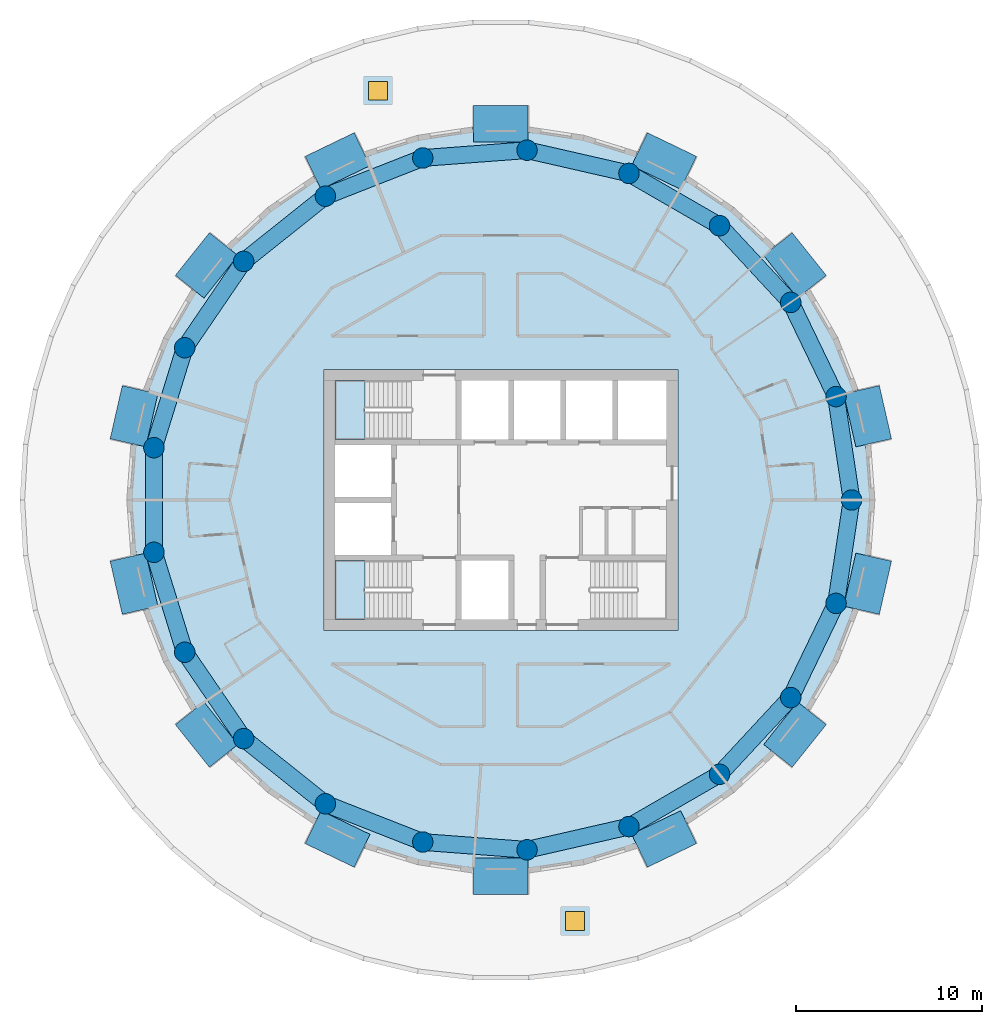
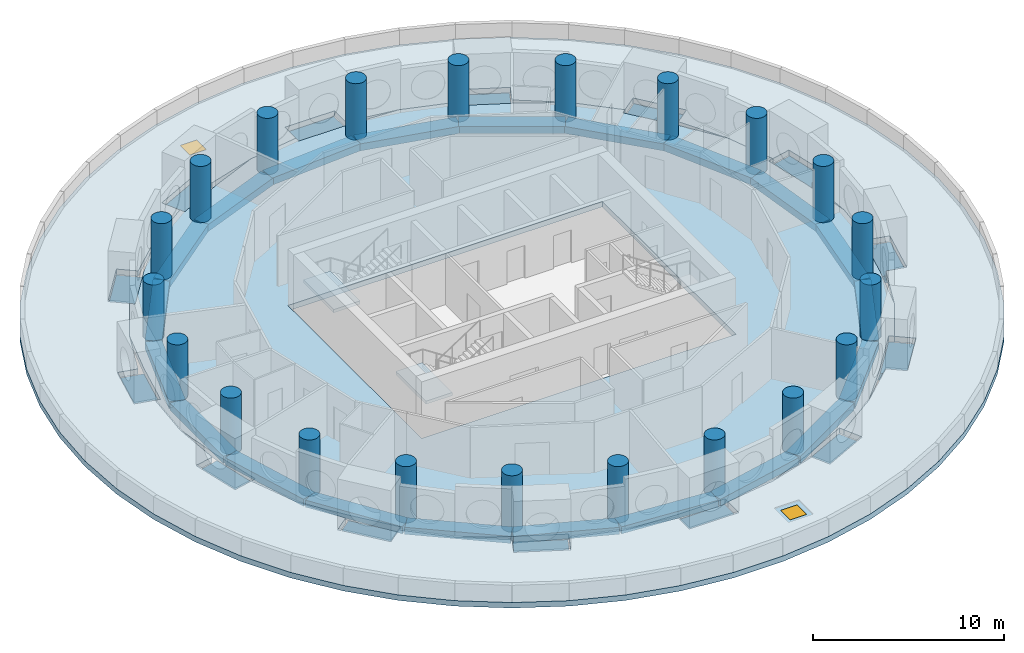
# One storey, part 1 of 13: 35 beams, 21 columns, 4 slabs, 2 windows, 2 openings, 2 elements without a shape of their own.
"""IFC4 building model written with IfcOpenShell, lengths in metres."""

from ifc_helpers import new_model, si_unit, direction, frame, origin, origin_2d, place, context, subcontext, project, spatial, polyline, rectangle, circle, outline, extrude, material, layer, layer_set, material_profile, profile_set, type_object, element, fill, aggregate, save


model = new_model("IFC4")

# Units and contexts
model_context = context("Model", 3, precision=1e-05, world=origin(), true_north=direction((0.0, 1.0)))
body_context = subcontext(model_context, "Body", "Model", "MODEL_VIEW")
ifc_project = project(units=[si_unit("LENGTHUNIT", "METRE"), si_unit("AREAUNIT", "SQUARE_METRE"), si_unit("VOLUMEUNIT", "CUBIC_METRE"), si_unit("PLANEANGLEUNIT", "RADIAN"), si_unit("MASSUNIT", "GRAM", prefix="KILO")], contexts=[model_context])

# Site, building, storey
site_placement = place(None, origin())
site = spatial("IfcSite", under=ifc_project, at=site_placement, CompositionType="ELEMENT")
building_placement = place(site_placement, origin())
building = spatial("IfcBuilding", under=site, at=building_placement, Name="Tracery Tower", CompositionType="ELEMENT")
storey_placement = place(building_placement, frame((0.0, 0.0, 231.0)))
storey = spatial("IfcBuildingStorey", under=building, at=storey_placement, Name="L59", CompositionType="ELEMENT", Elevation=231.0)

# Columns
ifc_material_1 = material(Name="Concrete C40/50", Category="concrete")
ifc_material_profile_1 = material_profile(ifc_material_1, circle(Radius=0.550048828125, at=origin_2d()), Name="RC D1100")
ifc_profile_set_1 = profile_set([ifc_material_profile_1], Name="Concrete C40/50")
column_type = type_object("IfcColumnType", Name="Ring 2 column 1100", PredefinedType="COLUMN", material=ifc_profile_set_1)
for number, where, z_axis, x_axis, name in (
    (1, (18.822265625, 0.0, 0.0), (0.0, 0.0, 1.0), (1.0, 0.0, 0.0), "Ring 2 column 00 at L59"),
    (2, (17.986083984375, 5.5478515625, 0.0), (0.0, 0.0, 1.0), (1.0, 0.0, 0.0), "Ring 2 column 01 at L59"),
    (3, (15.551513671875, 10.602783203125, 0.0), (0.0, 0.0, 1.0), (1.0, 0.0, 0.0), "Ring 2 column 02 at L59"),
    (4, (11.7353515625, 14.7158203125, 0.0), (0.0, 0.0, 1.0), (1.0, 0.0, 0.0), "Ring 2 column 03 at L59"),
    (5, (6.87646484375, 17.52099609375, 0.0), (0.0, 0.0, 1.0), (1.0, 0.0, 0.0), "Ring 2 column 04 at L59"),
    (6, (1.406494140625, 18.76953125, 0.0), (0.0, 0.0, 1.0), (1.0, 0.0, 0.0), "Ring 2 column 05 at L59"),
    (7, (-4.188232421875, 18.350341796875, 0.0), (0.0, 0.0, 1.0), (1.0, 0.0, 0.0), "Ring 2 column 06 at L59"),
    (8, (-9.4111328125, 16.300537109375, 0.0), (0.0, 0.0, 1.0), (1.0, 0.0, 0.0), "Ring 2 column 07 at L59"),
    (9, (-13.797607421875, 12.802490234375, 0.0), (0.0, 0.0, 1.0), (1.0, 0.0, 0.0), "Ring 2 column 08 at L59"),
    (10, (-16.958251953125, 8.16650390625, 0.0), (0.0, 0.0, 1.0), (1.0, 0.0, 0.0), "Ring 2 column 09 at L59"),
    (11, (-18.612060546875, 2.805419921875, 0.0), (0.0, 0.0, 1.0), (1.0, 0.0, 0.0), "Ring 2 column 10 at L59"),
    (12, (-18.612060546875, -2.805419921875, 0.0), (0.0, 0.0, 1.0), (1.0, 0.0, 0.0), "Ring 2 column 11 at L59"),
    (13, (-16.958251953125, -8.166748046875, 0.0), (0.0, 0.0, 1.0), (1.0, 0.0, 0.0), "Ring 2 column 12 at L59"),
    (14, (-13.797607421875, -12.80224609375, 0.0), (0.0, 0.0, 1.0), (1.0, 0.0, 0.0), "Ring 2 column 13 at L59"),
    (15, (-9.4111328125, -16.300537109375, 0.0), (0.0, 0.0, 1.0), (1.0, 0.0, 0.0), "Ring 2 column 14 at L59"),
    (16, (-4.188232421875, -18.350341796875, 0.0), (0.0, 0.0, 1.0), (1.0, 0.0, 0.0), "Ring 2 column 15 at L59"),
    (17, (1.406494140625, -18.76953125, 0.0), (0.0, 0.0, 1.0), (1.0, 0.0, 0.0), "Ring 2 column 16 at L59"),
    (18, (6.87646484375, -17.52099609375, 0.0), (0.0, 0.0, 1.0), (1.0, 0.0, 0.0), "Ring 2 column 17 at L59"),
    (19, (11.7353515625, -14.7158203125, 0.0), (0.0, 0.0, 1.0), (1.0, 0.0, 0.0), "Ring 2 column 18 at L59"),
    (20, (15.551513671875, -10.602783203125, 0.0), (0.0, 0.0, 1.0), (1.0, 0.0, 0.0), "Ring 2 column 19 at L59"),
    (21, (17.986083984375, -5.5478515625, 0.0), (0.0, 0.0, 1.0), (1.0, 0.0, 0.0), "Ring 2 column 20 at L59"),
):
    element("IfcColumn", number, at=place(storey_placement, frame(where, z_axis=z_axis, x_axis=x_axis)), inside=storey, type_object=column_type, Name=name, PredefinedType="COLUMN", context=body_context, shape_type="SweptSolid", body=[
        extrude(circle(Radius=0.550048828125, at=origin_2d()), origin(), (0.0, 0.0, 1.0), 3.60009765625),
    ])

# Beams
ifc_material_2 = material(Name="Concrete C40/50", Category="concrete")
ifc_material_profile_2 = material_profile(ifc_material_2, rectangle(XDim=1.9599609375, YDim=0.449951171875, at=origin_2d()), Name="RC 1960x450")
ifc_profile_set_2 = profile_set([ifc_material_profile_2], Name="Concrete C40/50")
beam_type_1 = type_object("IfcBeamType", Name="Bay seat beam 1960 x 450", PredefinedType="BEAM", material=ifc_profile_set_2)
beam_1_placement = place(storey_placement, frame((20.0048828125, 3.068359375, -0.574951171875), z_axis=(-0.222556919323, 0.974919698058, 0.0), x_axis=(-0.974919698058, -0.222556919323, 0.0)))
element("IfcBeam", 22, at=beam_1_placement, inside=storey, type_object=beam_type_1, Name="Bay seat beam 2 at L59", PredefinedType="BEAM", context=body_context, shape_type="SweptSolid", body=[
    extrude(rectangle(XDim=1.9599609375, YDim=0.449951171875, at=origin_2d()), origin(), (0.0, 0.0, 1.0), 2.920166015625),
])
for number, where, z_axis, x_axis, name in (
    (23, (16.6923828125, 11.4443359375, -0.574951171875), (-0.623480926504, 0.781838560244, 0.0), (-0.781838560244, -0.623480926504, 0.0), "Bay seat beam 5 at L59"),
    (24, (10.07373046875, 17.553466796875, -0.574951171875), (-0.900935084954, 0.433953883147, 0.0), (-0.433953883147, -0.900935084954, 0.0), "Bay seat beam 8 at L59"),
    (25, (1.4599609375, 20.18603515625, -0.574951171875), (-1.0, 0.0, 0.0), (0.0, -1.0, 0.0), "Bay seat beam 11 at L59"),
    (26, (-7.443115234375, 18.820556640625, -0.574951171875), (-0.900935084954, -0.433953883147, 0.0), (0.433953883147, -0.900935084954, 0.0), "Bay seat beam 14 at L59"),
    (27, (-14.871826171875, 13.727294921875, -0.574951171875), (-0.623480926504, -0.781838560244, 0.0), (0.781838560244, -0.623480926504, 0.0), "Bay seat beam 17 at L59"),
):
    element("IfcBeam", number, at=place(storey_placement, frame(where, z_axis=z_axis, x_axis=x_axis)), inside=storey, type_object=beam_type_1, Name=name, PredefinedType="BEAM", context=body_context, shape_type="SweptSolid", body=[
        extrude(rectangle(XDim=1.9599609375, YDim=0.449951171875, at=origin_2d()), origin(), (0.0, 0.0, 1.0), 2.919921875),
    ])
for number, where, z_axis, x_axis, name in (
    (28, (-19.35498046875, 5.915283203125, -0.574951171875), (-0.222556919323, -0.974919698058, 0.0), (0.974919698058, -0.222556919323, 0.0), "Bay seat beam 20 at L59"),
    (29, (-20.0048828125, -3.068359375, -0.574951171875), (0.222556919323, -0.974919698058, 0.0), (0.974919698058, 0.222556919323, 0.0), "Bay seat beam 23 at L59"),
):
    element("IfcBeam", number, at=place(storey_placement, frame(where, z_axis=z_axis, x_axis=x_axis)), inside=storey, type_object=beam_type_1, Name=name, PredefinedType="BEAM", context=body_context, shape_type="SweptSolid", body=[
        extrude(rectangle(XDim=1.9599609375, YDim=0.449951171875, at=origin_2d()), origin(), (0.0, 0.0, 1.0), 2.920166015625),
    ])
for number, where, z_axis, x_axis, name in (
    (30, (-16.6923828125, -11.4443359375, -0.574951171875), (0.623480926504, -0.781838560244, 0.0), (0.781838560244, 0.623480926504, 0.0), "Bay seat beam 26 at L59"),
    (31, (-10.07373046875, -17.553466796875, -0.574951171875), (0.900935084954, -0.433953883147, 0.0), (0.433953883147, 0.900935084954, 0.0), "Bay seat beam 29 at L59"),
    (32, (-1.4599609375, -20.18603515625, -0.574951171875), (1.0, 0.0, 0.0), (0.0, 1.0, 0.0), "Bay seat beam 32 at L59"),
    (33, (7.443115234375, -18.820556640625, -0.574951171875), (0.900935084954, 0.433953883147, 0.0), (-0.433953883147, 0.900935084954, 0.0), "Bay seat beam 35 at L59"),
    (34, (14.871826171875, -13.727294921875, -0.574951171875), (0.623480926504, 0.781838560244, 0.0), (-0.781838560244, 0.623480926504, 0.0), "Bay seat beam 38 at L59"),
):
    element("IfcBeam", number, at=place(storey_placement, frame(where, z_axis=z_axis, x_axis=x_axis)), inside=storey, type_object=beam_type_1, Name=name, PredefinedType="BEAM", context=body_context, shape_type="SweptSolid", body=[
        extrude(rectangle(XDim=1.9599609375, YDim=0.449951171875, at=origin_2d()), origin(), (0.0, 0.0, 1.0), 2.919921875),
    ])
beam_2_placement = place(storey_placement, frame((19.35498046875, -5.915283203125, -0.574951171875), z_axis=(0.222556919323, 0.974919698058, 0.0), x_axis=(-0.974919698058, 0.222556919323, 0.0)))
element("IfcBeam", 35, at=beam_2_placement, inside=storey, type_object=beam_type_1, Name="Bay seat beam 41 at L59", PredefinedType="BEAM", context=body_context, shape_type="SweptSolid", body=[
    extrude(rectangle(XDim=1.9599609375, YDim=0.449951171875, at=origin_2d()), origin(), (0.0, 0.0, 1.0), 2.920166015625),
])
ifc_material_3 = material(Name="Concrete C40/50", Category="concrete")
ifc_material_profile_3 = material_profile(ifc_material_3, rectangle(XDim=0.89990234375, YDim=0.449951171875, at=origin_2d()), Name="RC 900x450")
ifc_profile_set_3 = profile_set([ifc_material_profile_3], Name="Concrete C40/50")
beam_type_2 = type_object("IfcBeamType", Name="Perimeter band beam 900x450", PredefinedType="BEAM", material=ifc_profile_set_3)
for number, where, z_axis, x_axis, name in (
    (36, (18.822265625, 0.0, -0.574951171875), (-0.149038355855, 0.988831415603, 0.0), (-0.988831415603, -0.149038355855, 0.0), "Perimeter beam 2.00 under L59"),
    (37, (17.986083984375, 5.5478515625, -0.574951171875), (-0.433918973155, 0.900951899235, 0.0), (-0.900951899235, -0.433918973155, 0.0), "Perimeter beam 2.01 under L59"),
):
    element("IfcBeam", number, at=place(storey_placement, frame(where, z_axis=z_axis, x_axis=x_axis)), inside=storey, type_object=beam_type_2, Name=name, PredefinedType="BEAM", context=body_context, shape_type="SweptSolid", body=[
        extrude(rectangle(XDim=0.89990234375, YDim=0.449951171875, at=origin_2d()), origin(), (0.0, 0.0, 1.0), 5.610595703125),
    ])
beam_3_placement = place(storey_placement, frame((15.551513671875, 10.602783203125, -0.574951171875), z_axis=(-0.680155630824, 0.733067744386, 0.0), x_axis=(-0.733067744386, -0.680155630824, 0.0)))
element("IfcBeam", 38, at=beam_3_placement, inside=storey, type_object=beam_type_2, Name="Perimeter beam 2.02 under L59", PredefinedType="BEAM", context=body_context, shape_type="SweptSolid", body=[
    extrude(rectangle(XDim=0.89990234375, YDim=0.449951171875, at=origin_2d()), origin(), (0.0, 0.0, 1.0), 5.61083984375),
])
for number, where, z_axis, x_axis, name in (
    (39, (11.7353515625, 14.7158203125, -0.574951171875), (-0.866033412818, 0.49998612769, 0.0), (-0.49998612769, -0.866033412818, 0.0), "Perimeter beam 2.03 under L59"),
    (40, (6.87646484375, 17.52099609375, -0.574951171875), (-0.974925977366, 0.222529410768, 0.0), (-0.222529410768, -0.974925977366, 0.0), "Perimeter beam 2.04 under L59"),
):
    element("IfcBeam", number, at=place(storey_placement, frame(where, z_axis=z_axis, x_axis=x_axis)), inside=storey, type_object=beam_type_2, Name=name, PredefinedType="BEAM", context=body_context, shape_type="SweptSolid", body=[
        extrude(rectangle(XDim=0.89990234375, YDim=0.449951171875, at=origin_2d()), origin(), (0.0, 0.0, 1.0), 5.610595703125),
    ])
beam_4_placement = place(storey_placement, frame((1.406494140625, 18.76953125, -0.574951171875), z_axis=(-0.997204824387, -0.07471638521, 0.0), x_axis=(0.07471638521, -0.997204824387, 0.0)))
element("IfcBeam", 41, at=beam_4_placement, inside=storey, type_object=beam_type_2, Name="Perimeter beam 2.05 under L59", PredefinedType="BEAM", context=body_context, shape_type="SweptSolid", body=[
    extrude(rectangle(XDim=0.89990234375, YDim=0.449951171875, at=origin_2d()), origin(), (0.0, 0.0, 1.0), 5.6103515625),
])
beam_5_placement = place(storey_placement, frame((-4.188232421875, 18.350341796875, -0.574951171875), z_axis=(-0.930875728468, -0.365335979817, 0.0), x_axis=(0.365335979817, -0.930875728468, 0.0)))
element("IfcBeam", 42, at=beam_5_placement, inside=storey, type_object=beam_type_2, Name="Perimeter beam 2.06 under L59", PredefinedType="BEAM", context=body_context, shape_type="SweptSolid", body=[
    extrude(rectangle(XDim=0.89990234375, YDim=0.449951171875, at=origin_2d()), origin(), (0.0, 0.0, 1.0), 5.61083984375),
])
beam_6_placement = place(storey_placement, frame((-9.4111328125, 16.300537109375, -0.574951171875), z_axis=(-0.781835817725, -0.623484365579, 0.0), x_axis=(0.623484365579, -0.781835817725, 0.0)))
element("IfcBeam", 43, at=beam_6_placement, inside=storey, type_object=beam_type_2, Name="Perimeter beam 2.07 under L59", PredefinedType="BEAM", context=body_context, shape_type="SweptSolid", body=[
    extrude(rectangle(XDim=0.89990234375, YDim=0.449951171875, at=origin_2d()), origin(), (0.0, 0.0, 1.0), 5.610595703125),
])
beam_7_placement = place(storey_placement, frame((-13.797607421875, 12.802490234375, -0.574951171875), z_axis=(-0.563305770578, -0.826248515178, 0.0), x_axis=(0.826248515178, -0.563305770578, 0.0)))
element("IfcBeam", 44, at=beam_7_placement, inside=storey, type_object=beam_type_2, Name="Perimeter beam 2.08 under L59", PredefinedType="BEAM", context=body_context, shape_type="SweptSolid", body=[
    extrude(rectangle(XDim=0.89990234375, YDim=0.449951171875, at=origin_2d()), origin(), (0.0, 0.0, 1.0), 5.61083984375),
])
beam_8_placement = place(storey_placement, frame((-16.958251953125, 8.16650390625, -0.574951171875), z_axis=(-0.294776851839, -0.955566118916, 0.0), x_axis=(0.955566118916, -0.294776851839, 0.0)))
element("IfcBeam", 45, at=beam_8_placement, inside=storey, type_object=beam_type_2, Name="Perimeter beam 2.09 under L59", PredefinedType="BEAM", context=body_context, shape_type="SweptSolid", body=[
    extrude(rectangle(XDim=0.89990234375, YDim=0.449951171875, at=origin_2d()), origin(), (0.0, 0.0, 1.0), 5.6103515625),
])
beam_9_placement = place(storey_placement, frame((-18.612060546875, 2.805419921875, -0.574951171875), z_axis=(0.0, -1.0, 0.0), x_axis=(1.0, 0.0, 0.0)))
element("IfcBeam", 46, at=beam_9_placement, inside=storey, type_object=beam_type_2, Name="Perimeter beam 2.10 under L59", PredefinedType="BEAM", context=body_context, shape_type="SweptSolid", body=[
    extrude(rectangle(XDim=0.89990234375, YDim=0.449951171875, at=origin_2d()), origin(), (0.0, 0.0, 1.0), 5.61083984375),
])
for number, where, z_axis, x_axis, name in (
    (47, (-18.612060546875, -2.805419921875, -0.574951171875), (0.294764594813, -0.955569899926, 0.0), (0.955569899926, 0.294764594813, 0.0), "Perimeter beam 2.11 under L59"),
    (48, (-16.958251953125, -8.166748046875, -0.574951171875), (0.5633462764, -0.826220898348, 0.0), (0.826220898348, 0.5633462764, 0.0), "Perimeter beam 2.12 under L59"),
    (49, (-13.797607421875, -12.80224609375, -0.574951171875), (0.781814605872, -0.623510963853, 0.0), (0.623510963853, 0.781814605872, 0.0), "Perimeter beam 2.13 under L59"),
):
    element("IfcBeam", number, at=place(storey_placement, frame(where, z_axis=z_axis, x_axis=x_axis)), inside=storey, type_object=beam_type_2, Name=name, PredefinedType="BEAM", context=body_context, shape_type="SweptSolid", body=[
        extrude(rectangle(XDim=0.89990234375, YDim=0.449951171875, at=origin_2d()), origin(), (0.0, 0.0, 1.0), 5.610595703125),
    ])
beam_10_placement = place(storey_placement, frame((-9.4111328125, -16.300537109375, -0.574951171875), z_axis=(0.930875728468, -0.365335979817, 0.0), x_axis=(0.365335979817, 0.930875728468, 0.0)))
element("IfcBeam", 50, at=beam_10_placement, inside=storey, type_object=beam_type_2, Name="Perimeter beam 2.14 under L59", PredefinedType="BEAM", context=body_context, shape_type="SweptSolid", body=[
    extrude(rectangle(XDim=0.89990234375, YDim=0.449951171875, at=origin_2d()), origin(), (0.0, 0.0, 1.0), 5.61083984375),
])
beam_11_placement = place(storey_placement, frame((-4.188232421875, -18.350341796875, -0.574951171875), z_axis=(0.997204824387, -0.07471638521, 0.0), x_axis=(0.07471638521, 0.997204824387, 0.0)))
element("IfcBeam", 51, at=beam_11_placement, inside=storey, type_object=beam_type_2, Name="Perimeter beam 2.15 under L59", PredefinedType="BEAM", context=body_context, shape_type="SweptSolid", body=[
    extrude(rectangle(XDim=0.89990234375, YDim=0.449951171875, at=origin_2d()), origin(), (0.0, 0.0, 1.0), 5.6103515625),
])
for number, where, z_axis, x_axis, name in (
    (52, (1.406494140625, -18.76953125, -0.574951171875), (0.974925977366, 0.222529410768, 0.0), (-0.222529410768, 0.974925977366, 0.0), "Perimeter beam 2.16 under L59"),
    (53, (6.87646484375, -17.52099609375, -0.574951171875), (0.866033412818, 0.49998612769, 0.0), (-0.49998612769, 0.866033412818, 0.0), "Perimeter beam 2.17 under L59"),
):
    element("IfcBeam", number, at=place(storey_placement, frame(where, z_axis=z_axis, x_axis=x_axis)), inside=storey, type_object=beam_type_2, Name=name, PredefinedType="BEAM", context=body_context, shape_type="SweptSolid", body=[
        extrude(rectangle(XDim=0.89990234375, YDim=0.449951171875, at=origin_2d()), origin(), (0.0, 0.0, 1.0), 5.610595703125),
    ])
beam_12_placement = place(storey_placement, frame((11.7353515625, -14.7158203125, -0.574951171875), z_axis=(0.680155630824, 0.733067744386, 0.0), x_axis=(-0.733067744386, 0.680155630824, 0.0)))
element("IfcBeam", 54, at=beam_12_placement, inside=storey, type_object=beam_type_2, Name="Perimeter beam 2.18 under L59", PredefinedType="BEAM", context=body_context, shape_type="SweptSolid", body=[
    extrude(rectangle(XDim=0.89990234375, YDim=0.449951171875, at=origin_2d()), origin(), (0.0, 0.0, 1.0), 5.61083984375),
])
for number, where, z_axis, x_axis, name in (
    (55, (15.551513671875, -10.602783203125, -0.574951171875), (0.433918973155, 0.900951899235, 0.0), (-0.900951899235, 0.433918973155, 0.0), "Perimeter beam 2.19 under L59"),
    (56, (17.986083984375, -5.5478515625, -0.574951171875), (0.149038355855, 0.988831415603, 0.0), (-0.988831415603, 0.149038355855, 0.0), "Perimeter beam 2.20 under L59"),
):
    element("IfcBeam", number, at=place(storey_placement, frame(where, z_axis=z_axis, x_axis=x_axis)), inside=storey, type_object=beam_type_2, Name=name, PredefinedType="BEAM", context=body_context, shape_type="SweptSolid", body=[
        extrude(rectangle(XDim=0.89990234375, YDim=0.449951171875, at=origin_2d()), origin(), (0.0, 0.0, 1.0), 5.610595703125),
    ])

# Slab
ifc_material_4 = material(Name="Concrete C40/50", Category="concrete")
ifc_layer_1 = layer(ifc_material_4, 0.35009765625)
ifc_layer_set_1 = layer_set([ifc_layer_1], Name="Floor slab 350")
slab_type_1 = type_object("IfcSlabType", Name="Floor slab 350", PredefinedType="FLOOR", material=ifc_layer_set_1)
slab_1_placement = place(storey_placement, frame((0.0, 0.0, -0.35009765625)))
element("IfcSlab", 57, at=slab_1_placement, inside=storey, type_object=slab_type_1, Name="Floor slab L59", PredefinedType="FLOOR", context=body_context, shape_type="SweptSolid", body=[
    extrude(outline(polyline([(19.243408203125, 4.291748046875), (18.887939453125, 5.849609375), (19.18017578125, 5.916259765625), (19.180419921875, 5.91650390625), (18.08447265625, 8.708984375), (16.336181640625, 11.13720703125), (15.6845703125, 11.954345703125), (14.493408203125, 13.447998046875), (14.493408203125, 13.447998046875), (14.4794921875, 13.465576171875), (14.7138671875, 13.652587890625), (14.714111328125, 13.652587890625), (12.514892578125, 15.693115234375), (9.885986328125, 17.122314453125), (9.227294921875, 17.439697265625), (7.223388671875, 18.404541015625), (7.223388671875, 18.404541015625), (7.202880859375, 18.414306640625), (7.333251953125, 18.6845703125), (7.333251953125, 18.684814453125), (4.466552734375, 19.56884765625), (1.47802734375, 19.716064453125), (-1.5, 19.716064453125), (-1.5, 20.01611328125), (-1.5, 20.01611328125), (-4.466552734375, 19.56884765625), (-7.223388671875, 18.404541015625), (-9.227294921875, 17.439697265625), (-9.906005859375, 17.11279296875), (-10.035888671875, 17.3828125), (-10.0361328125, 17.383056640625), (-12.514892578125, 15.693115234375), (-14.493408203125, 13.447998046875), (-15.6845703125, 11.954345703125), (-16.349853515625, 11.1201171875), (-16.58447265625, 11.30712890625), (-18.08447265625, 8.708984375), (-18.892822265625, 5.828125), (-19.243408203125, 4.291748046875), (-19.550537109375, 2.94677734375), (-19.550537109375, 2.94677734375), (-19.555419921875, 2.9248046875), (-19.847900390625, 2.99169921875), (-19.847900390625, 2.99169921875), (-20.072265625, 0.0), (-19.550537109375, -2.94677734375), (-19.243408203125, -4.291748046875), (-18.887939453125, -5.849609375), (-19.18017578125, -5.916259765625), (-19.180419921875, -5.91650390625), (-18.08447265625, -8.708984375), (-16.336181640625, -11.13720703125), (-15.6845703125, -11.954345703125), (-14.493408203125, -13.447998046875), (-14.493408203125, -13.447998046875), (-14.4794921875, -13.465576171875), (-14.7138671875, -13.652587890625), (-14.714111328125, -13.652587890625), (-12.514892578125, -15.693115234375), (-9.885986328125, -17.122314453125), (-9.227294921875, -17.439697265625), (-7.223388671875, -18.404541015625), (-7.223388671875, -18.404541015625), (-7.202880859375, -18.414306640625), (-7.333251953125, -18.6845703125), (-7.333251953125, -18.684814453125), (-4.466552734375, -19.56884765625), (-1.47802734375, -19.716064453125), (1.5, -19.716064453125), (1.5, -20.01611328125), (1.5, -20.01611328125), (4.466552734375, -19.56884765625), (7.223388671875, -18.404541015625), (9.227294921875, -17.439697265625), (9.906005859375, -17.11279296875), (10.035888671875, -17.3828125), (10.0361328125, -17.383056640625), (12.514892578125, -15.693115234375), (14.493408203125, -13.447998046875), (15.6845703125, -11.954345703125), (16.349853515625, -11.1201171875), (16.58447265625, -11.30712890625), (18.08447265625, -8.708984375), (18.892822265625, -5.828125), (19.243408203125, -4.291748046875), (19.550537109375, -2.94677734375), (19.550537109375, -2.94677734375), (19.555419921875, -2.9248046875), (19.847900390625, -2.99169921875), (19.847900390625, -2.99169921875), (20.072265625, 0.0), (19.550537109375, 2.94677734375), (19.243408203125, 4.291748046875)]), holes=[polyline([(-9.5, -7.0), (9.5, -7.0), (9.5, 7.0), (-9.5, 7.0), (-9.5, -7.0)])]), origin(), (0.0, 0.0, 1.0), 0.35009765625),
])

# Stair, slab
ifc_material_5 = material(Name="Concrete C32/40", Category="concrete")
stair_type = type_object("IfcStairType", Name="Core stair 22 risers", PredefinedType="HALF_TURN_STAIR", material=ifc_material_5)
stair_1_placement = place(storey_placement, origin())
stair_1 = element("IfcStair", 58, at=stair_1_placement, inside=storey, type_object=stair_type, Name="L59 stair ST1", PredefinedType="HALF_TURN_STAIR")
ifc_material_6 = material(Name="Concrete C32/40", Category="concrete")
ifc_layer_2 = layer(ifc_material_6, 0.199951171875)
ifc_layer_set_2 = layer_set([ifc_layer_2], Name="Stair landing slab 200")
slab_type_2 = type_object("IfcSlabType", Name="Stair landing slab 200", PredefinedType="LANDING", material=ifc_layer_set_2)
slab_2_placement = place(storey_placement, frame((0.0, 0.0, 1.60009765625)))
slab_2 = element("IfcSlab", 59, at=slab_2_placement, type_object=slab_type_2, Name="ST1 landing 1", PredefinedType="LANDING", context=body_context, shape_type="SweptSolid", body=[
    extrude(outline(polyline([(-7.29931640625, -3.25), (-8.89990234375, -3.25), (-8.89990234375, -6.39990234375), (-7.29931640625, -6.39990234375), (-7.29931640625, -3.25)])), origin(), (0.0, 0.0, 1.0), 0.199951171875),
])
aggregate(stair_1, [slab_2])

stair_2_placement = place(storey_placement, origin())
stair_2 = element("IfcStair", 60, at=stair_2_placement, inside=storey, type_object=stair_type, Name="L59 stair ST3", PredefinedType="HALF_TURN_STAIR")
slab_3_placement = place(storey_placement, frame((0.0, 0.0, 1.60009765625)))
slab_3 = element("IfcSlab", 61, at=slab_3_placement, type_object=slab_type_2, Name="ST3 landing 1", PredefinedType="LANDING", context=body_context, shape_type="SweptSolid", body=[
    extrude(outline(polyline([(-7.29931640625, 6.39990234375), (-8.89990234375, 6.39990234375), (-8.89990234375, 3.25), (-7.29931640625, 3.25), (-7.29931640625, 6.39990234375)])), origin(), (0.0, 0.0, 1.0), 0.199951171875),
])
aggregate(stair_2, [slab_3])

# Slab, openings, windows
ifc_material_7 = material(Name="Concrete C40/50", Category="concrete")
ifc_layer_3 = layer(ifc_material_7, 0.35009765625)
ifc_layer_set_3 = layer_set([ifc_layer_3], Name="Terrace slab 350")
slab_type_3 = type_object("IfcSlabType", Name="Terrace slab 350", PredefinedType="ROOF", material=ifc_layer_set_3)
slab_4_placement = place(storey_placement, frame((0.0, 0.0, -0.35009765625)))
slab_4 = element("IfcSlab", 62, at=slab_4_placement, inside=storey, type_object=slab_type_3, Name="Terrace slab L59", PredefinedType="ROOF", context=body_context, shape_type="SweptSolid", body=[
    extrude(outline(polyline([(25.623291015625, -2.994873046875), (25.797607421875, 0.0), (25.623291015625, 2.994873046875), (25.102294921875, 5.949462890625), (24.241943359375, 8.8232421875), (23.0537109375, 11.577880859375), (21.5537109375, 14.176025390625), (19.76220703125, 16.58251953125), (17.70361328125, 18.7646484375), (15.4052734375, 20.69287109375), (12.89892578125, 22.341552734375), (10.218017578125, 23.68798828125), (7.39892578125, 24.7138671875), (4.479736328125, 25.40576171875), (1.5, 25.754150390625), (-1.5, 25.754150390625), (-4.479736328125, 25.40576171875), (-7.39892578125, 24.7138671875), (-10.218017578125, 23.68798828125), (-12.898681640625, 22.341552734375), (-15.4052734375, 20.69287109375), (-17.70361328125, 18.7646484375), (-19.76220703125, 16.58251953125), (-21.5537109375, 14.176025390625), (-23.0537109375, 11.577880859375), (-24.241943359375, 8.8232421875), (-25.102294921875, 5.949462890625), (-25.623291015625, 2.994873046875), (-25.797607421875, 0.0), (-25.623291015625, -2.994873046875), (-25.102294921875, -5.949462890625), (-24.241943359375, -8.8232421875), (-23.0537109375, -11.577880859375), (-21.5537109375, -14.176025390625), (-19.76220703125, -16.58251953125), (-17.70361328125, -18.7646484375), (-15.4052734375, -20.69287109375), (-12.89892578125, -22.341552734375), (-10.218017578125, -23.68798828125), (-7.39892578125, -24.7138671875), (-4.479736328125, -25.40576171875), (-1.5, -25.754150390625), (1.5, -25.754150390625), (4.479736328125, -25.40576171875), (7.39892578125, -24.7138671875), (10.218017578125, -23.68798828125), (12.89892578125, -22.341552734375), (15.4052734375, -20.69287109375), (17.70361328125, -18.7646484375), (19.76220703125, -16.58251953125), (21.5537109375, -14.176025390625), (23.0537109375, -11.577880859375), (24.241943359375, -8.8232421875), (25.102294921875, -5.949462890625), (25.623291015625, -2.994873046875)]), holes=[polyline([(19.847900390625, 2.99169921875), (20.96923828125, 3.24755859375), (20.301513671875, 6.17236328125), (19.180419921875, 5.91650390625), (19.180419921875, 5.91650390625), (18.08447265625, 8.708984375), (16.58447265625, 11.30712890625), (17.4833984375, 12.024169921875), (15.613037109375, 14.36962890625), (14.714111328125, 13.652587890625), (14.714111328125, 13.652587890625), (12.514892578125, 15.693115234375), (10.0361328125, 17.383056640625), (10.0361328125, 17.383056640625), (10.53515625, 18.419189453125), (7.832275390625, 19.720703125), (7.333251953125, 18.684814453125), (7.333251953125, 18.684814453125), (4.466552734375, 19.56884765625), (1.5, 20.01611328125), (1.5, 20.01611328125), (1.5, 21.166015625), (-1.5, 21.166015625), (-1.5, 20.01611328125), (-1.5, 20.01611328125), (-4.466552734375, 19.56884765625), (-7.333251953125, 18.684814453125), (-7.333251953125, 18.684814453125), (-7.832275390625, 19.720703125), (-10.53515625, 18.419189453125), (-10.0361328125, 17.383056640625), (-10.0361328125, 17.383056640625), (-12.514892578125, 15.693115234375), (-14.714111328125, 13.652587890625), (-14.714111328125, 13.652587890625), (-15.613037109375, 14.36962890625), (-17.4833984375, 12.024169921875), (-16.58447265625, 11.30712890625), (-18.08447265625, 8.708984375), (-19.180419921875, 5.91650390625), (-19.180419921875, 5.91650390625), (-20.301513671875, 6.17236328125), (-20.96923828125, 3.24755859375), (-19.847900390625, 2.99169921875), (-19.847900390625, 2.99169921875), (-20.072265625, 0.0), (-19.847900390625, -2.99169921875), (-19.847900390625, -2.99169921875), (-20.96923828125, -3.24755859375), (-20.301513671875, -6.17236328125), (-19.180419921875, -5.91650390625), (-19.180419921875, -5.91650390625), (-18.08447265625, -8.708984375), (-16.58447265625, -11.30712890625), (-17.4833984375, -12.024169921875), (-15.613037109375, -14.36962890625), (-14.714111328125, -13.652587890625), (-14.714111328125, -13.652587890625), (-12.514892578125, -15.693115234375), (-10.0361328125, -17.383056640625), (-10.0361328125, -17.383056640625), (-10.53515625, -18.419189453125), (-7.832275390625, -19.720703125), (-7.333251953125, -18.684814453125), (-7.333251953125, -18.684814453125), (-4.466552734375, -19.56884765625), (-1.5, -20.01611328125), (-1.5, -20.01611328125), (-1.5, -21.166015625), (1.5, -21.166015625), (1.5, -20.01611328125), (1.5, -20.01611328125), (4.466552734375, -19.56884765625), (7.333251953125, -18.684814453125), (7.333251953125, -18.684814453125), (7.832275390625, -19.720703125), (10.53515625, -18.419189453125), (10.0361328125, -17.383056640625), (10.0361328125, -17.383056640625), (12.514892578125, -15.693115234375), (14.714111328125, -13.652587890625), (14.714111328125, -13.652587890625), (15.613037109375, -14.36962890625), (17.4833984375, -12.024169921875), (16.58447265625, -11.30712890625), (18.08447265625, -8.708984375), (19.180419921875, -5.91650390625), (19.180419921875, -5.91650390625), (20.301513671875, -6.17236328125), (20.96923828125, -3.24755859375), (19.847900390625, -2.99169921875), (19.847900390625, -2.99169921875), (20.072265625, 0.0), (19.847900390625, 2.99169921875), (19.847900390625, 2.99169921875)])]), origin(), (0.0, 0.0, 1.0), 0.35009765625),
])
opening_1_placement = place(slab_4_placement, frame((-6.590576171875, 21.967529296875, 0.0)))
opening_1 = element("IfcOpeningElement", 63, at=opening_1_placement, cuts=slab_4, Name="Opening EW833", PredefinedType="OPENING", context=body_context, shape_type="SweptSolid", body=[
    extrude(rectangle(XDim=1.0, YDim=1.0, at=origin_2d()), origin(), (0.0, 0.0, 1.0), 0.35009765625),
])
opening_2_placement = place(slab_4_placement, frame((3.982666015625, -22.58642578125, 0.0)))
opening_2 = element("IfcOpeningElement", 64, at=opening_2_placement, cuts=slab_4, Name="Opening EW834", PredefinedType="OPENING", context=body_context, shape_type="SweptSolid", body=[
    extrude(rectangle(XDim=1.0, YDim=1.0, at=origin_2d()), origin(), (0.0, 0.0, 1.0), 0.35009765625),
])
ifc_material_8 = material(Name="Steel fire door", Category="steel")
window_type = type_object("IfcWindowType", Name="Roof access hatch 1000 x 1000", PartitioningType="SINGLE_PANEL", PredefinedType="SKYLIGHT", material=ifc_material_8)
window_1_placement = place(opening_1_placement, frame((0.0, 0.0, 0.300048828125)))
window_1 = element("IfcWindow", 65, at=window_1_placement, inside=storey, type_object=window_type, Name="Roof access hatch EW833", OverallHeight=1.0, OverallWidth=1.0, PartitioningType="SINGLE_PANEL", PredefinedType="SKYLIGHT", context=body_context, shape_type="SweptSolid", body=[
    extrude(rectangle(XDim=1.0, YDim=1.0, at=origin_2d()), origin(), (0.0, 0.0, 1.0), 0.050048828125),
])
fill(opening_1, window_1)
window_2_placement = place(opening_2_placement, frame((0.0, 0.0, 0.300048828125)))
window_2 = element("IfcWindow", 66, at=window_2_placement, inside=storey, type_object=window_type, Name="Roof access hatch EW834", OverallHeight=1.0, OverallWidth=1.0, PartitioningType="SINGLE_PANEL", PredefinedType="SKYLIGHT", context=body_context, shape_type="SweptSolid", body=[
    extrude(rectangle(XDim=1.0, YDim=1.0, at=origin_2d()), origin(), (0.0, 0.0, 1.0), 0.050048828125),
])
fill(opening_2, window_2)

save(model, "model.ifc")
